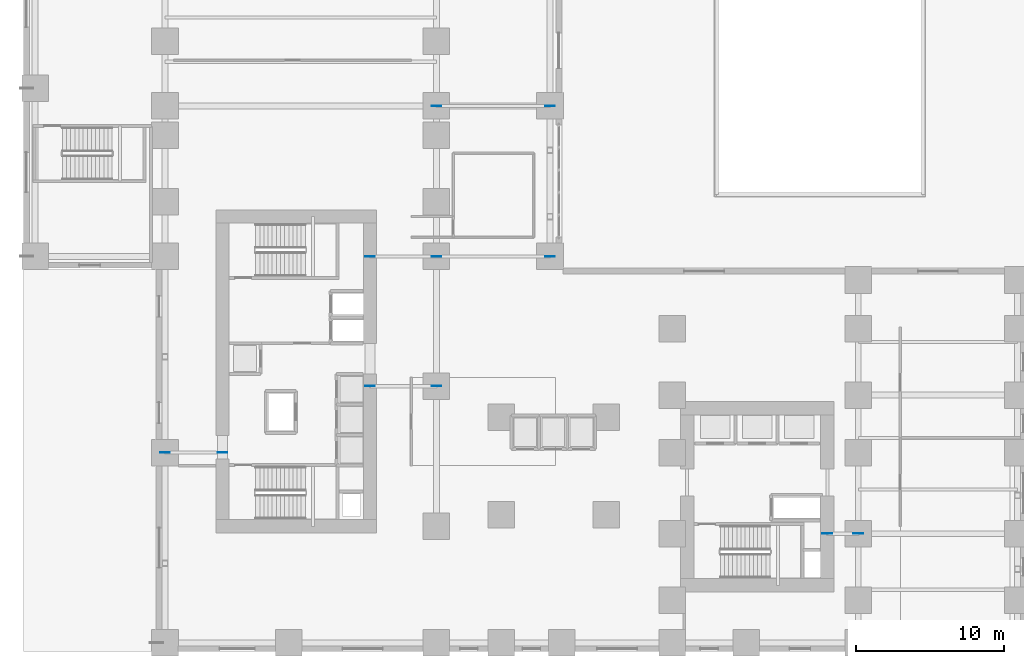
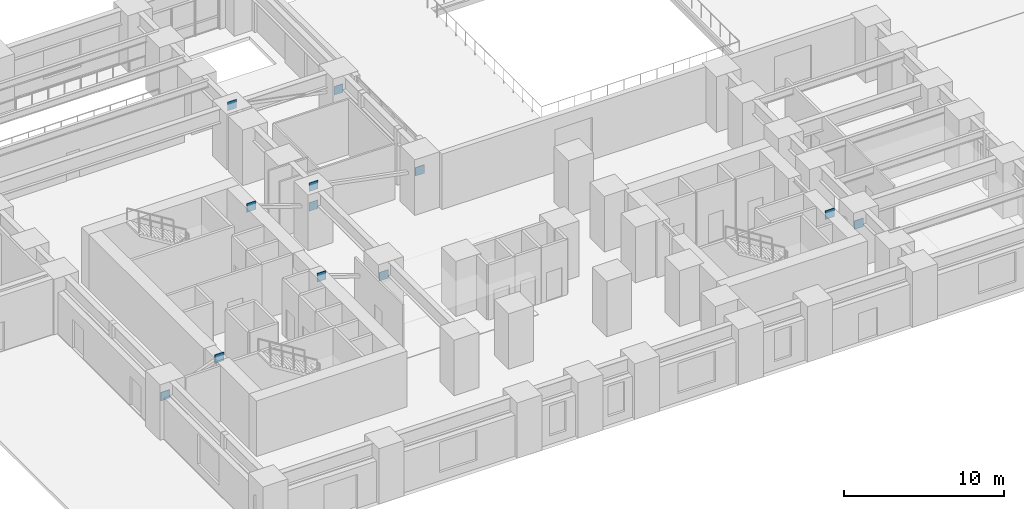
# One storey, part 12 of 23: 12 plates.
"""IFC4 building model written with IfcOpenShell, lengths in metres."""

from ifc_helpers import new_model, si_unit, direction, frame, origin, origin_2d, place, context, subcontext, project, spatial, rectangle, extrude, source, transform, mapped, material, layer, layer_set, type_object, element, save


model = new_model("IFC4")

# Units and contexts
model_context = context("Model", 3, precision=1e-05, world=origin(), true_north=direction((0.0, 1.0)))
body_context = subcontext(model_context, "Body", "Model", "MODEL_VIEW")
ifc_project = project(units=[si_unit("LENGTHUNIT", "METRE"), si_unit("AREAUNIT", "SQUARE_METRE"), si_unit("VOLUMEUNIT", "CUBIC_METRE"), si_unit("PLANEANGLEUNIT", "RADIAN"), si_unit("MASSUNIT", "GRAM", prefix="KILO")], contexts=[model_context])

# Site, building, storey
site_placement = place(None, origin())
site = spatial("IfcSite", under=ifc_project, at=site_placement, CompositionType="ELEMENT")
building_placement = place(site_placement, origin())
building = spatial("IfcBuilding", under=site, at=building_placement, Name="Kharzan Plaza Tower", CompositionType="ELEMENT")
storey_placement = place(building_placement, origin())
storey = spatial("IfcBuildingStorey", under=building, at=storey_placement, Name="L00", CompositionType="ELEMENT", Elevation=0.0)

# Plates
ifc_material = material(Name="Steel S460", Category="steel")
ifc_layer = layer(ifc_material, 0.0380859375)
ifc_layer_set = layer_set([ifc_layer], Name="Steel S460")
plate_type = type_object("IfcPlateType", Name="PLT-WPN1", PredefinedType="USERDEFINED", material=ifc_layer_set)
shared_shape = source(origin(), body_context, "Body", "SweptSolid", [
    extrude(rectangle(XDim=0.64990234375, YDim=0.0380859375, at=origin_2d()), origin(), (0.0, 0.0, 1.0), 0.64990234375),
])
for number, where, z_axis, x_axis, name in (
    (1, (0.60009765625, 13.5, 2.275146484375), (0.0, 0.0, 1.0), (1.0, 0.0, 0.0), "L00 Portal Strut End Gusset Plate WPN1-1A"),
    (2, (4.5, 13.5, 3.775146484375), (0.0, 0.0, 1.0), (1.0, 0.0, 0.0), "L00 Portal Strut End Gusset Plate WPN1-1B"),
    (3, (19.0, 18.0, 2.275146484375), (0.0, 0.0, 1.0), (1.0, 0.0, 0.0), "L00 Portal Strut End Gusset Plate WPN1-2A"),
    (4, (14.5, 18.0, 3.775146484375), (0.0, 0.0, 1.0), (1.0, 0.0, 0.0), "L00 Portal Strut End Gusset Plate WPN1-2B"),
    (5, (19.0, 26.800048828125, 2.275146484375), (0.0, 0.0, 1.0), (1.0, 0.0, 0.0), "L00 Portal Strut End Gusset Plate WPN1-3A"),
    (6, (14.5, 26.800048828125, 3.775146484375), (0.0, 0.0, 1.0), (1.0, 0.0, 0.0), "L00 Portal Strut End Gusset Plate WPN1-3B"),
    (7, (26.699951171875, 26.800048828125, 2.275146484375), (0.0, 0.0, 1.0), (1.0, 0.0, 0.0), "L00 Portal Strut End Gusset Plate WPN1-4A"),
    (8, (19.0, 26.800048828125, 3.775146484375), (0.0, 0.0, 1.0), (1.0, 0.0, 0.0), "L00 Portal Strut End Gusset Plate WPN1-4B"),
    (9, (26.699951171875, 37.0, 2.275146484375), (0.0, 0.0, 1.0), (1.0, 0.0, 0.0), "L00 Portal Strut End Gusset Plate WPN1-5A"),
    (10, (19.0, 37.0, 3.775146484375), (0.0, 0.0, 1.0), (1.0, 0.0, 0.0), "L00 Portal Strut End Gusset Plate WPN1-5B"),
    (11, (47.60009765625, 8.0, 2.275146484375), (0.0, 0.0, 1.0), (1.0, 0.0, 0.0), "L00 Portal Strut End Gusset Plate WPN1-6A"),
    (12, (45.5, 8.0, 3.775146484375), (0.0, 0.0, 1.0), (1.0, 0.0, 0.0), "L00 Portal Strut End Gusset Plate WPN1-6B"),
):
    element("IfcPlate", number, at=place(storey_placement, frame(where, z_axis=z_axis, x_axis=x_axis)), inside=storey, type_object=plate_type, Name=name, ObjectType="GUSSET_PLATE", PredefinedType="USERDEFINED", context=body_context, shape_type="MappedRepresentation", body=[
        mapped(shared_shape, transform((0.0, 0.0, 0.0), x_axis=(1.0, 0.0, 0.0), y_axis=(0.0, 1.0, 0.0), z_axis=(0.0, 0.0, 1.0))),
    ])

save(model, "model.ifc")
